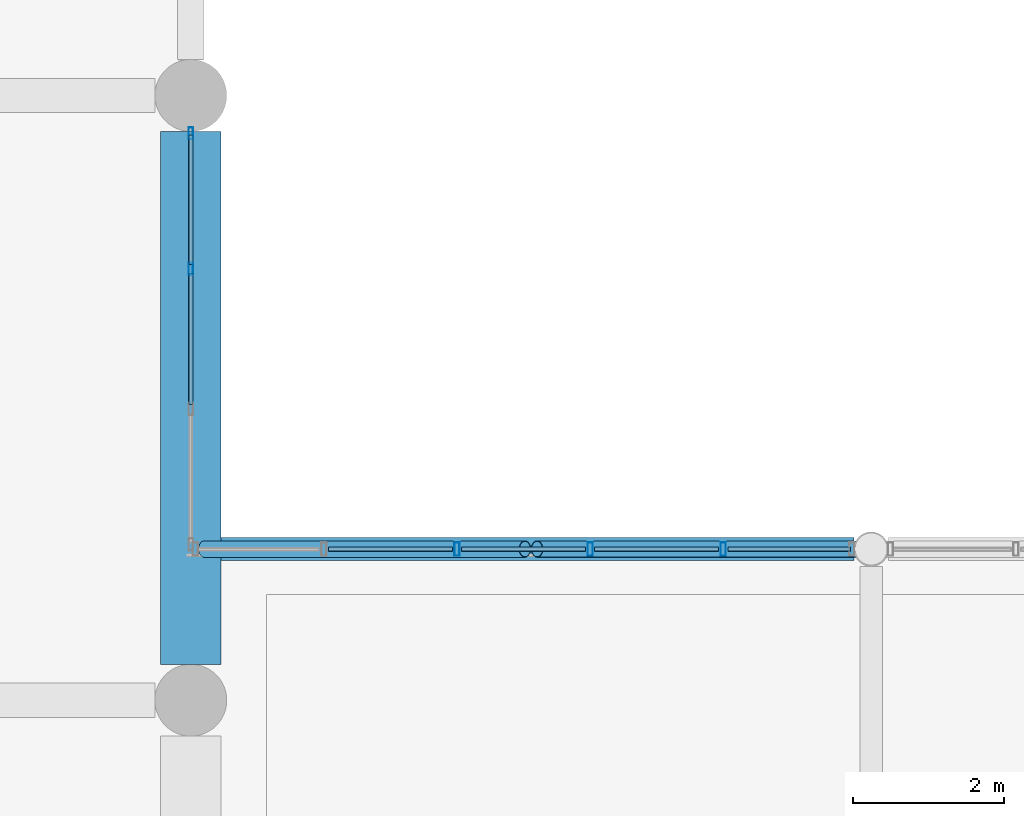
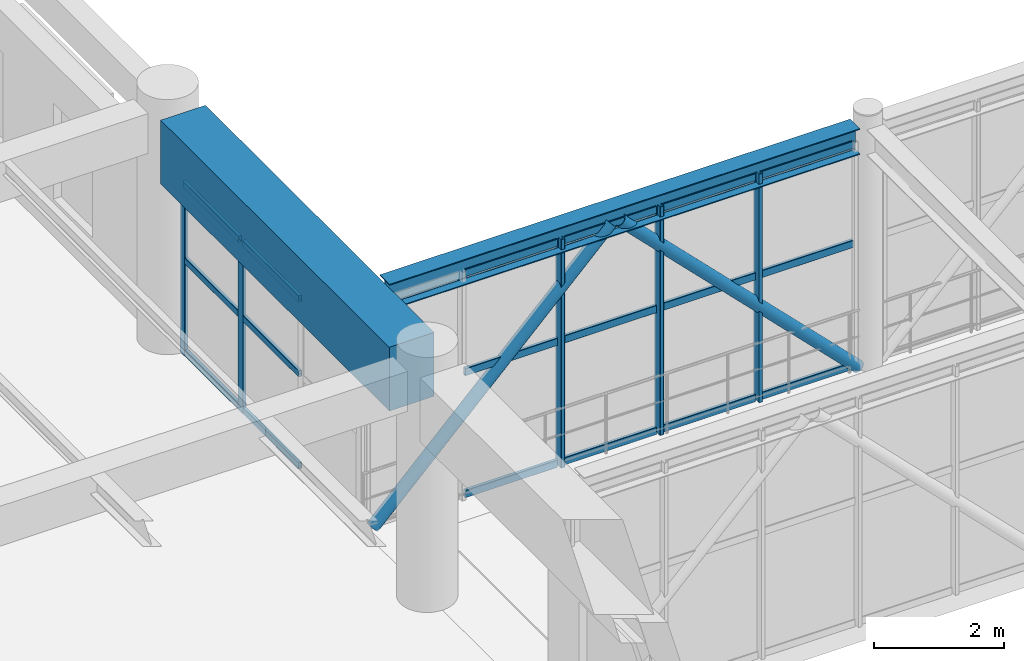
# One storey, part 58 of 178: 25 members, 2 beams, 2 elements without a shape of their own.
"""IFC4 building model written with IfcOpenShell, lengths in metres."""

from ifc_helpers import new_model, si_unit, derived_unit, direction, frame, origin, origin_2d, place, context, subcontext, project, spatial, rectangle, hollow_rectangle, hollow_circle, i_section, extrude, material, material_profile, profile_set, type_object, element, aggregate, save


model = new_model("IFC4")

# Units and contexts
model_context = context("Model", 3, precision=1e-05, world=origin(), true_north=direction((0.0, 1.0)))
body_context = subcontext(model_context, "Body", "Model", "MODEL_VIEW")
ifc_project = project(units=[si_unit("LENGTHUNIT", "METRE"), si_unit("AREAUNIT", "SQUARE_METRE"), si_unit("VOLUMEUNIT", "CUBIC_METRE"), si_unit("PLANEANGLEUNIT", "RADIAN"), si_unit("MASSUNIT", "GRAM", prefix="KILO"), derived_unit("THERMALTRANSMITTANCEUNIT", [(si_unit("MASSUNIT", "GRAM", prefix="KILO"), 1), (si_unit("TIMEUNIT", "SECOND"), -3), (si_unit("THERMODYNAMICTEMPERATUREUNIT", "KELVIN"), -1)])], contexts=[model_context])

# Site, building, storey
site_placement = place(None, origin())
site = spatial("IfcSite", under=ifc_project, at=site_placement, CompositionType="ELEMENT")
building_placement = place(site_placement, origin())
building = spatial("IfcBuilding", under=site, at=building_placement, Name="Zhenchuan Archway Interchange", CompositionType="ELEMENT")
storey_placement = place(building_placement, frame((0.0, 0.0, 5.39990234375)))
storey = spatial("IfcBuildingStorey", under=building, at=storey_placement, Name="L01", CompositionType="ELEMENT", Elevation=5.39990234375)

# Beams
ifc_material_1 = material(Name="Concrete C50", Category="concrete")
ifc_material_profile_1 = material_profile(ifc_material_1, rectangle(XDim=0.800048828125, YDim=1.199951171875, at=origin_2d()), Name="RC 800x1200")
ifc_profile_set_1 = profile_set([ifc_material_profile_1], Name="Concrete C50")
beam_type_1 = type_object("IfcBeamType", Name="BM_RC_800x1200", PredefinedType="BEAM", material=ifc_profile_set_1)
beam_1_placement = place(storey_placement, frame((72.0, 56.47509765625, 3.91015625), z_axis=(0.0, 1.0, 0.0), x_axis=(-1.0, 0.0, 0.0)))
element("IfcBeam", 1, at=beam_1_placement, inside=storey, type_object=beam_type_1, Name="Beam 9:H-J (L01)", PredefinedType="BEAM", context=body_context, shape_type="SweptSolid", body=[
    extrude(rectangle(XDim=0.800048828125, YDim=1.199951171875, at=origin_2d()), origin(), (0.0, 0.0, 1.0), 7.0498046875),
])
ifc_material_2 = material(Name="Steel Q390", Category="steel")
ifc_material_profile_2 = material_profile(ifc_material_2, i_section(OverallWidth=0.300048828125, OverallDepth=0.488037109375, WebThickness=0.010986328125, FlangeThickness=0.01806640625, FilletRadius=0.02197265625, at=origin_2d()), Name="HM 488x300")
ifc_profile_set_2 = profile_set([ifc_material_profile_2], Name="Steel Q390")
beam_type_2 = type_object("IfcBeamType", Name="BM_STL_HM488", PredefinedType="BEAM", material=ifc_profile_set_2)
beam_2_placement = place(storey_placement, frame((72.39990234375, 58.0, 4.336181640625), z_axis=(1.0, 0.0, 0.0), x_axis=(0.0, 1.0, 0.0)))
element("IfcBeam", 2, at=beam_2_placement, inside=storey, type_object=beam_type_2, Name="Footbridge roof chord girder W-N (L01)", PredefinedType="BEAM", context=body_context, shape_type="SweptSolid", body=[
    extrude(i_section(OverallWidth=0.300048828125, OverallDepth=0.488037109375, WebThickness=0.010986328125, FlangeThickness=0.01806640625, FilletRadius=0.02197265625, at=origin_2d()), origin(), (0.0, 0.0, 1.0), 8.37158203125),
])

# Curtain wall, members
ifc_material_3 = material(Name="Anodised Aluminium", Category="aluminium")
curtain_wall_type_1 = type_object("IfcCurtainWallType", Name="CW_UNIT_3", PredefinedType="NOTDEFINED", material=ifc_material_3)
curtain_wall_1_placement = place(storey_placement, origin())
curtain_wall_1 = element("IfcCurtainWall", 3, at=curtain_wall_1_placement, inside=storey, type_object=curtain_wall_type_1, Name="Unitised curtain wall CW:L01:054", PredefinedType="NOTDEFINED")
ifc_material_profile_3 = material_profile(ifc_material_3, hollow_rectangle(XDim=0.06005859375, YDim=0.159912109375, WallThickness=0.00390625, InnerFilletRadius=0.00390625, OuterFilletRadius=0.008056640625, at=origin_2d()), Name="ALU 160x60x4")
ifc_profile_set_3 = profile_set([ifc_material_profile_3], Name="Anodised Aluminium")
member_type_1 = type_object("IfcMemberType", Name="CW_MUL_150", PredefinedType="MULLION", material=ifc_profile_set_3)
member_1_placement = place(storey_placement, frame((72.0, 63.498046875, 0.0), z_axis=(0.0, 0.0, 1.0), x_axis=(1.0, 0.0, 0.0)))
member_1 = element("IfcMember", 4, at=member_1_placement, type_object=member_type_1, Name="CW:L01:054 mullion 0", PredefinedType="MULLION", context=body_context, shape_type="SweptSolid", body=[
    extrude(hollow_rectangle(XDim=0.06005859375, YDim=0.159912109375, WallThickness=0.00390625, InnerFilletRadius=0.00390625, OuterFilletRadius=0.008056640625, at=origin_2d()), origin(), (0.0, 0.0, 1.0), 3.280029296875),
])
member_2_placement = place(storey_placement, frame((72.0, 61.705322265625, 0.0), z_axis=(0.0, 0.0, 1.0), x_axis=(1.0, 0.0, 0.0)))
member_2 = element("IfcMember", 5, at=member_2_placement, type_object=member_type_1, Name="CW:L01:054 mullion 1", PredefinedType="MULLION", context=body_context, shape_type="SweptSolid", body=[
    extrude(hollow_rectangle(XDim=0.06005859375, YDim=0.159912109375, WallThickness=0.00390625, InnerFilletRadius=0.00390625, OuterFilletRadius=0.008056640625, at=origin_2d()), origin(), (0.0, 0.0, 1.0), 3.280029296875),
])

curtain_wall_type_2 = type_object("IfcCurtainWallType", Name="CW_UNIT_4", PredefinedType="NOTDEFINED", material=ifc_material_3)
curtain_wall_2_placement = place(storey_placement, origin())
curtain_wall_2 = element("IfcCurtainWall", 6, at=curtain_wall_2_placement, inside=storey, type_object=curtain_wall_type_2, Name="Unitised curtain wall CW:L01:055", PredefinedType="NOTDEFINED")
ifc_material_profile_4 = material_profile(ifc_material_3, hollow_rectangle(XDim=0.070068359375, YDim=0.179931640625, WallThickness=0.00390625, InnerFilletRadius=0.00390625, OuterFilletRadius=0.008056640625, at=origin_2d()), Name="ALU 180x70x4")
ifc_profile_set_4 = profile_set([ifc_material_profile_4], Name="Anodised Aluminium")
member_type_2 = type_object("IfcMemberType", Name="CW_MUL_180", PredefinedType="MULLION", material=ifc_profile_set_4)
member_3_placement = place(storey_placement, frame((75.521728515625, 58.0, 0.0), z_axis=(0.0, 0.0, 1.0), x_axis=(1.0, 0.0, 0.0)))
member_3 = element("IfcMember", 7, at=member_3_placement, type_object=member_type_2, Name="CW:L01:055 mullion 2", PredefinedType="MULLION", context=body_context, shape_type="SweptSolid", body=[
    extrude(hollow_rectangle(XDim=0.070068359375, YDim=0.179931640625, WallThickness=0.00390625, InnerFilletRadius=0.00390625, OuterFilletRadius=0.008056640625, at=origin_2d()), origin(), (0.0, 0.0, 1.0), 4.300048828125),
])
member_4_placement = place(storey_placement, frame((77.28271484375, 58.0, 0.0), z_axis=(0.0, 0.0, 1.0), x_axis=(1.0, 0.0, 0.0)))
member_4 = element("IfcMember", 8, at=member_4_placement, type_object=member_type_2, Name="CW:L01:055 mullion 3", PredefinedType="MULLION", context=body_context, shape_type="SweptSolid", body=[
    extrude(hollow_rectangle(XDim=0.070068359375, YDim=0.179931640625, WallThickness=0.00390625, InnerFilletRadius=0.00390625, OuterFilletRadius=0.008056640625, at=origin_2d()), origin(), (0.0, 0.0, 1.0), 4.300048828125),
])
member_5_placement = place(storey_placement, frame((79.043701171875, 58.0, 0.0), z_axis=(0.0, 0.0, 1.0), x_axis=(1.0, 0.0, 0.0)))
member_5 = element("IfcMember", 9, at=member_5_placement, type_object=member_type_2, Name="CW:L01:055 mullion 4", PredefinedType="MULLION", context=body_context, shape_type="SweptSolid", body=[
    extrude(hollow_rectangle(XDim=0.070068359375, YDim=0.179931640625, WallThickness=0.00390625, InnerFilletRadius=0.00390625, OuterFilletRadius=0.008056640625, at=origin_2d()), origin(), (0.0, 0.0, 1.0), 4.300048828125),
])

# Member
ifc_material_profile_5 = material_profile(ifc_material_3, hollow_rectangle(XDim=0.06005859375, YDim=0.1201171875, WallThickness=0.00341796875, InnerFilletRadius=0.00341796875, OuterFilletRadius=0.007080078125, at=origin_2d()), Name="ALU 120x60x3.5")
ifc_profile_set_5 = profile_set([ifc_material_profile_5], Name="Anodised Aluminium")
member_type_3 = type_object("IfcMemberType", Name="CW_TRN_120", PredefinedType="USERDEFINED", material=ifc_profile_set_5)
member_6_placement = place(storey_placement, frame((72.0, 63.47802734375, 0.06005859375), z_axis=(0.0, -1.0, 0.0), x_axis=(1.0, 0.0, 0.0)))
member_6 = element("IfcMember", 10, at=member_6_placement, type_object=member_type_3, Name="CW:L01:054 transom 0-1", ObjectType="TRANSOM", PredefinedType="USERDEFINED", context=body_context, shape_type="SweptSolid", body=[
    extrude(hollow_rectangle(XDim=0.06005859375, YDim=0.1201171875, WallThickness=0.00341796875, InnerFilletRadius=0.00341796875, OuterFilletRadius=0.007080078125, at=origin_2d()), origin(), (0.0, 0.0, 1.0), 1.712646484375),
])

member_7_placement = place(storey_placement, frame((72.0, 63.47802734375, 1.793212890625), z_axis=(0.0, -1.0, 0.0), x_axis=(1.0, 0.0, 0.0)))
member_7 = element("IfcMember", 11, at=member_7_placement, type_object=member_type_3, Name="CW:L01:054 transom 0-2", ObjectType="TRANSOM", PredefinedType="USERDEFINED", context=body_context, shape_type="SweptSolid", body=[
    extrude(hollow_rectangle(XDim=0.06005859375, YDim=0.1201171875, WallThickness=0.00341796875, InnerFilletRadius=0.00341796875, OuterFilletRadius=0.007080078125, at=origin_2d()), origin(), (0.0, 0.0, 1.0), 1.712646484375),
])

member_8_placement = place(storey_placement, frame((72.0, 63.47802734375, 3.2001953125), z_axis=(0.0, -1.0, 0.0), x_axis=(1.0, 0.0, 0.0)))
member_8 = element("IfcMember", 12, at=member_8_placement, type_object=member_type_3, Name="CW:L01:054 transom 0-3", ObjectType="TRANSOM", PredefinedType="USERDEFINED", context=body_context, shape_type="SweptSolid", body=[
    extrude(hollow_rectangle(XDim=0.06005859375, YDim=0.1201171875, WallThickness=0.00341796875, InnerFilletRadius=0.00341796875, OuterFilletRadius=0.007080078125, at=origin_2d()), origin(), (0.0, 0.0, 1.0), 1.712646484375),
])

member_9_placement = place(storey_placement, frame((72.0, 61.645263671875, 0.06005859375), z_axis=(0.0, -1.0, 0.0), x_axis=(1.0, 0.0, 0.0)))
member_9 = element("IfcMember", 13, at=member_9_placement, type_object=member_type_3, Name="CW:L01:054 transom 1-1", ObjectType="TRANSOM", PredefinedType="USERDEFINED", context=body_context, shape_type="SweptSolid", body=[
    extrude(hollow_rectangle(XDim=0.06005859375, YDim=0.1201171875, WallThickness=0.00341796875, InnerFilletRadius=0.00341796875, OuterFilletRadius=0.007080078125, at=origin_2d()), origin(), (0.0, 0.0, 1.0), 1.732666015625),
])

member_10_placement = place(storey_placement, frame((72.0, 61.645263671875, 1.793212890625), z_axis=(0.0, -1.0, 0.0), x_axis=(1.0, 0.0, 0.0)))
member_10 = element("IfcMember", 14, at=member_10_placement, type_object=member_type_3, Name="CW:L01:054 transom 1-2", ObjectType="TRANSOM", PredefinedType="USERDEFINED", context=body_context, shape_type="SweptSolid", body=[
    extrude(hollow_rectangle(XDim=0.06005859375, YDim=0.1201171875, WallThickness=0.00341796875, InnerFilletRadius=0.00341796875, OuterFilletRadius=0.007080078125, at=origin_2d()), origin(), (0.0, 0.0, 1.0), 1.732666015625),
])

member_11_placement = place(storey_placement, frame((72.0, 61.645263671875, 3.2001953125), z_axis=(0.0, -1.0, 0.0), x_axis=(1.0, 0.0, 0.0)))
member_11 = element("IfcMember", 15, at=member_11_placement, type_object=member_type_3, Name="CW:L01:054 transom 1-3", ObjectType="TRANSOM", PredefinedType="USERDEFINED", context=body_context, shape_type="SweptSolid", body=[
    extrude(hollow_rectangle(XDim=0.06005859375, YDim=0.1201171875, WallThickness=0.00341796875, InnerFilletRadius=0.00341796875, OuterFilletRadius=0.007080078125, at=origin_2d()), origin(), (0.0, 0.0, 1.0), 1.732666015625),
])

aggregate(curtain_wall_1, [member_1, member_2, member_6, member_7, member_8, member_9, member_10, member_11])

ifc_material_profile_6 = material_profile(ifc_material_3, hollow_rectangle(XDim=0.06005859375, YDim=0.139892578125, WallThickness=0.00341796875, InnerFilletRadius=0.00341796875, OuterFilletRadius=0.007080078125, at=origin_2d()), Name="ALU 140x60x3.5")
ifc_profile_set_6 = profile_set([ifc_material_profile_6], Name="Anodised Aluminium")
member_type_4 = type_object("IfcMemberType", Name="CW_TRN_140", PredefinedType="USERDEFINED", material=ifc_profile_set_6)
member_12_placement = place(storey_placement, frame((73.82080078125, 58.0, 0.06005859375), z_axis=(1.0, 0.0, 0.0), x_axis=(0.0, 1.0, 0.0)))
member_12 = element("IfcMember", 16, at=member_12_placement, type_object=member_type_4, Name="CW:L01:055 transom 1-1", ObjectType="TRANSOM", PredefinedType="USERDEFINED", context=body_context, shape_type="SweptSolid", body=[
    extrude(hollow_rectangle(XDim=0.06005859375, YDim=0.139892578125, WallThickness=0.00341796875, InnerFilletRadius=0.00341796875, OuterFilletRadius=0.007080078125, at=origin_2d()), origin(), (0.0, 0.0, 1.0), 1.64111328125),
])

member_13_placement = place(storey_placement, frame((73.82080078125, 58.0, 2.35400390625), z_axis=(1.0, 0.0, 0.0), x_axis=(0.0, 1.0, 0.0)))
member_13 = element("IfcMember", 17, at=member_13_placement, type_object=member_type_4, Name="CW:L01:055 transom 1-2", ObjectType="TRANSOM", PredefinedType="USERDEFINED", context=body_context, shape_type="SweptSolid", body=[
    extrude(hollow_rectangle(XDim=0.06005859375, YDim=0.139892578125, WallThickness=0.00341796875, InnerFilletRadius=0.00341796875, OuterFilletRadius=0.007080078125, at=origin_2d()), origin(), (0.0, 0.0, 1.0), 1.64111328125),
])

member_14_placement = place(storey_placement, frame((73.82080078125, 58.0, 4.22021484375), z_axis=(1.0, 0.0, 0.0), x_axis=(0.0, 1.0, 0.0)))
member_14 = element("IfcMember", 18, at=member_14_placement, type_object=member_type_4, Name="CW:L01:055 transom 1-3", ObjectType="TRANSOM", PredefinedType="USERDEFINED", context=body_context, shape_type="SweptSolid", body=[
    extrude(hollow_rectangle(XDim=0.06005859375, YDim=0.139892578125, WallThickness=0.00341796875, InnerFilletRadius=0.00341796875, OuterFilletRadius=0.007080078125, at=origin_2d()), origin(), (0.0, 0.0, 1.0), 1.64111328125),
])

member_15_placement = place(storey_placement, frame((75.581787109375, 58.0, 0.06005859375), z_axis=(1.0, 0.0, 0.0), x_axis=(0.0, 1.0, 0.0)))
member_15 = element("IfcMember", 19, at=member_15_placement, type_object=member_type_4, Name="CW:L01:055 transom 2-1", ObjectType="TRANSOM", PredefinedType="USERDEFINED", context=body_context, shape_type="SweptSolid", body=[
    extrude(hollow_rectangle(XDim=0.06005859375, YDim=0.139892578125, WallThickness=0.00341796875, InnerFilletRadius=0.00341796875, OuterFilletRadius=0.007080078125, at=origin_2d()), origin(), (0.0, 0.0, 1.0), 1.640869140625),
])

member_16_placement = place(storey_placement, frame((75.581787109375, 58.0, 2.35400390625), z_axis=(1.0, 0.0, 0.0), x_axis=(0.0, 1.0, 0.0)))
member_16 = element("IfcMember", 20, at=member_16_placement, type_object=member_type_4, Name="CW:L01:055 transom 2-2", ObjectType="TRANSOM", PredefinedType="USERDEFINED", context=body_context, shape_type="SweptSolid", body=[
    extrude(hollow_rectangle(XDim=0.06005859375, YDim=0.139892578125, WallThickness=0.00341796875, InnerFilletRadius=0.00341796875, OuterFilletRadius=0.007080078125, at=origin_2d()), origin(), (0.0, 0.0, 1.0), 1.640869140625),
])

member_17_placement = place(storey_placement, frame((75.581787109375, 58.0, 4.22021484375), z_axis=(1.0, 0.0, 0.0), x_axis=(0.0, 1.0, 0.0)))
member_17 = element("IfcMember", 21, at=member_17_placement, type_object=member_type_4, Name="CW:L01:055 transom 2-3", ObjectType="TRANSOM", PredefinedType="USERDEFINED", context=body_context, shape_type="SweptSolid", body=[
    extrude(hollow_rectangle(XDim=0.06005859375, YDim=0.139892578125, WallThickness=0.00341796875, InnerFilletRadius=0.00341796875, OuterFilletRadius=0.007080078125, at=origin_2d()), origin(), (0.0, 0.0, 1.0), 1.640869140625),
])

member_18_placement = place(storey_placement, frame((77.3427734375, 58.0, 0.06005859375), z_axis=(1.0, 0.0, 0.0), x_axis=(0.0, 1.0, 0.0)))
member_18 = element("IfcMember", 22, at=member_18_placement, type_object=member_type_4, Name="CW:L01:055 transom 3-1", ObjectType="TRANSOM", PredefinedType="USERDEFINED", context=body_context, shape_type="SweptSolid", body=[
    extrude(hollow_rectangle(XDim=0.06005859375, YDim=0.139892578125, WallThickness=0.00341796875, InnerFilletRadius=0.00341796875, OuterFilletRadius=0.007080078125, at=origin_2d()), origin(), (0.0, 0.0, 1.0), 1.640869140625),
])

member_19_placement = place(storey_placement, frame((77.3427734375, 58.0, 2.35400390625), z_axis=(1.0, 0.0, 0.0), x_axis=(0.0, 1.0, 0.0)))
member_19 = element("IfcMember", 23, at=member_19_placement, type_object=member_type_4, Name="CW:L01:055 transom 3-2", ObjectType="TRANSOM", PredefinedType="USERDEFINED", context=body_context, shape_type="SweptSolid", body=[
    extrude(hollow_rectangle(XDim=0.06005859375, YDim=0.139892578125, WallThickness=0.00341796875, InnerFilletRadius=0.00341796875, OuterFilletRadius=0.007080078125, at=origin_2d()), origin(), (0.0, 0.0, 1.0), 1.640869140625),
])

member_20_placement = place(storey_placement, frame((77.3427734375, 58.0, 4.22021484375), z_axis=(1.0, 0.0, 0.0), x_axis=(0.0, 1.0, 0.0)))
member_20 = element("IfcMember", 24, at=member_20_placement, type_object=member_type_4, Name="CW:L01:055 transom 3-3", ObjectType="TRANSOM", PredefinedType="USERDEFINED", context=body_context, shape_type="SweptSolid", body=[
    extrude(hollow_rectangle(XDim=0.06005859375, YDim=0.139892578125, WallThickness=0.00341796875, InnerFilletRadius=0.00341796875, OuterFilletRadius=0.007080078125, at=origin_2d()), origin(), (0.0, 0.0, 1.0), 1.640869140625),
])

member_21_placement = place(storey_placement, frame((79.103515625, 58.0, 0.06005859375), z_axis=(1.0, 0.0, 0.0), x_axis=(0.0, 1.0, 0.0)))
member_21 = element("IfcMember", 25, at=member_21_placement, type_object=member_type_4, Name="CW:L01:055 transom 4-1", ObjectType="TRANSOM", PredefinedType="USERDEFINED", context=body_context, shape_type="SweptSolid", body=[
    extrude(hollow_rectangle(XDim=0.06005859375, YDim=0.139892578125, WallThickness=0.00341796875, InnerFilletRadius=0.00341796875, OuterFilletRadius=0.007080078125, at=origin_2d()), origin(), (0.0, 0.0, 1.0), 1.62109375),
])

member_22_placement = place(storey_placement, frame((79.103515625, 58.0, 2.35400390625), z_axis=(1.0, 0.0, 0.0), x_axis=(0.0, 1.0, 0.0)))
member_22 = element("IfcMember", 26, at=member_22_placement, type_object=member_type_4, Name="CW:L01:055 transom 4-2", ObjectType="TRANSOM", PredefinedType="USERDEFINED", context=body_context, shape_type="SweptSolid", body=[
    extrude(hollow_rectangle(XDim=0.06005859375, YDim=0.139892578125, WallThickness=0.00341796875, InnerFilletRadius=0.00341796875, OuterFilletRadius=0.007080078125, at=origin_2d()), origin(), (0.0, 0.0, 1.0), 1.62109375),
])

member_23_placement = place(storey_placement, frame((79.103515625, 58.0, 4.22021484375), z_axis=(1.0, 0.0, 0.0), x_axis=(0.0, 1.0, 0.0)))
member_23 = element("IfcMember", 27, at=member_23_placement, type_object=member_type_4, Name="CW:L01:055 transom 4-3", ObjectType="TRANSOM", PredefinedType="USERDEFINED", context=body_context, shape_type="SweptSolid", body=[
    extrude(hollow_rectangle(XDim=0.06005859375, YDim=0.139892578125, WallThickness=0.00341796875, InnerFilletRadius=0.00341796875, OuterFilletRadius=0.007080078125, at=origin_2d()), origin(), (0.0, 0.0, 1.0), 1.62109375),
])

aggregate(curtain_wall_2, [member_3, member_4, member_5, member_12, member_13, member_14, member_15, member_16, member_17, member_18, member_19, member_20, member_21, member_22, member_23])

# Members
ifc_material_4 = material(Name="Steel Q355", Category="steel")
ifc_material_profile_7 = material_profile(ifc_material_4, hollow_circle(Radius=0.109619140625, WallThickness=0.008056640625, at=origin_2d()), Name="CHS 219x8")
ifc_profile_set_7 = profile_set([ifc_material_profile_7], Name="Steel Q355")
member_type_5 = type_object("IfcMemberType", Name="MB_CHS219", PredefinedType="BRACE", material=ifc_profile_set_7)
for number, where, z_axis, x_axis, name in (
    (28, (72.179931640625, 58.0, 0.0), (0.706272605819, 0.0, 0.707939973634), (0.0, 1.0, 0.0), "Footbridge truss diagonal W-NL"),
    (29, (80.820068359375, 58.0, 0.0), (-0.706272605819, 0.0, 0.707939973634), (0.0, -1.0, 0.0), "Footbridge truss diagonal W-NR"),
):
    element("IfcMember", number, at=place(storey_placement, frame(where, z_axis=z_axis, x_axis=x_axis)), inside=storey, type_object=member_type_5, Name=name, PredefinedType="BRACE", context=body_context, shape_type="SweptSolid", body=[
        extrude(hollow_circle(Radius=0.109619140625, WallThickness=0.008056640625, at=origin_2d()), origin(), (0.0, 0.0, 1.0), 6.00341796875),
    ])

save(model, "model.ifc")
